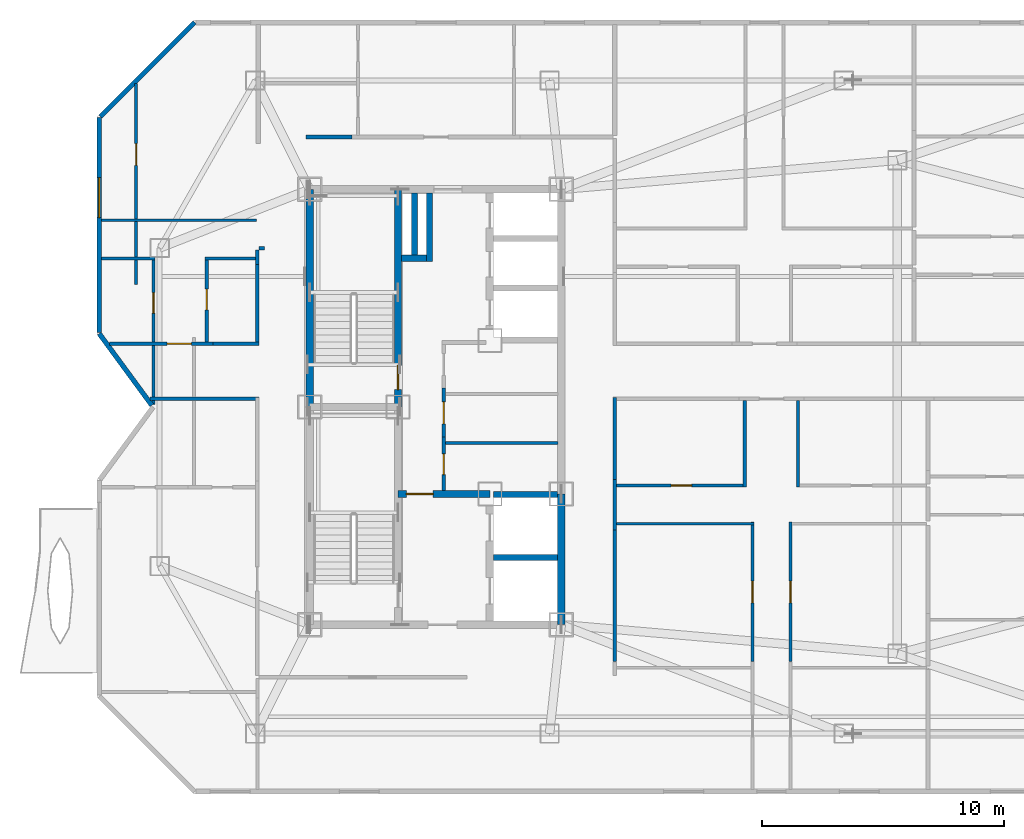
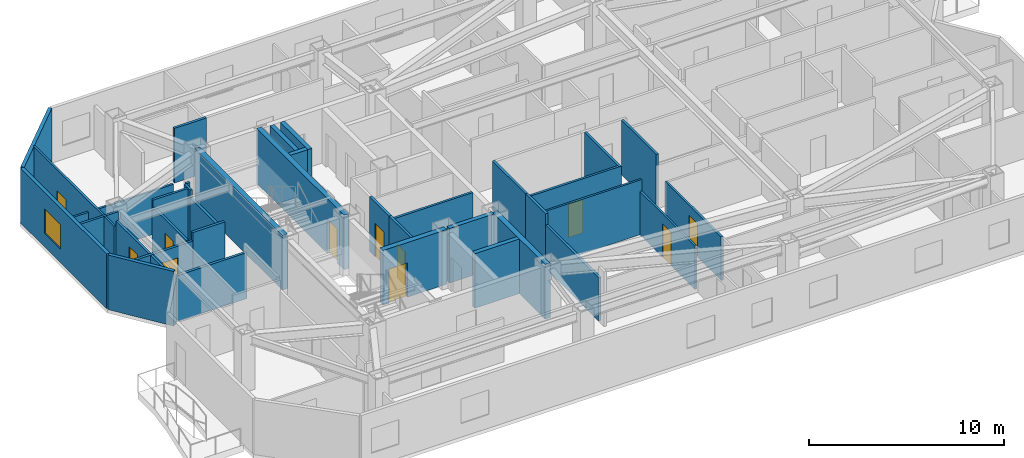
# One storey, part 5 of 10: 37 walls, 11 doors, 1 window, 12 openings.
"""IFC4 building model written with IfcOpenShell, lengths in metres."""

from ifc_helpers import new_model, si_unit, direction, frame, frame_2d, origin, place, context, subcontext, project, spatial, rectangle, extrude, material, layer, layer_set, type_object, element, fill, save


model = new_model("IFC4")

# Units and contexts
model_context = context("Model", 3, precision=1e-05, world=origin(), true_north=direction((0.0, 1.0)))
body_context = subcontext(model_context, "Body", "Model", "MODEL_VIEW")
ifc_project = project(units=[si_unit("LENGTHUNIT", "METRE"), si_unit("AREAUNIT", "SQUARE_METRE"), si_unit("VOLUMEUNIT", "CUBIC_METRE"), si_unit("PLANEANGLEUNIT", "RADIAN"), si_unit("MASSUNIT", "GRAM", prefix="KILO")], contexts=[model_context])

# Site, building, storey
site_placement = place(None, origin())
site = spatial("IfcSite", under=ifc_project, at=site_placement, CompositionType="ELEMENT")
building_placement = place(site_placement, origin())
building = spatial("IfcBuilding", under=site, at=building_placement, Name="Khamvora Tower", CompositionType="ELEMENT")
storey_placement = place(building_placement, frame((0.0, 0.0, 250.050048828125)))
storey = spatial("IfcBuildingStorey", under=building, at=storey_placement, Name="L64", CompositionType="ELEMENT", Elevation=250.050048828125)

# Walls
ifc_material_1 = material(Name="Concrete C50/60", Category="concrete")
ifc_layer_1 = layer(ifc_material_1, 0.300048828125)
ifc_layer_set_1 = layer_set([ifc_layer_1], Name="Concrete C50/60")
wall_type_1 = type_object("IfcWallType", Name="WAL-CORE-300", PredefinedType="SHEAR", material=ifc_layer_set_1)
wall_1_placement = place(storey_placement, frame((29.0, 28.0, 0.0), z_axis=(0.0, 0.0, 1.0), x_axis=(0.0, 1.0, 0.0)))
element("IfcWall", 1, at=wall_1_placement, inside=storey, type_object=wall_type_1, Name="L64 central core west north wall", PredefinedType="SHEAR", context=body_context, shape_type="SweptSolid", body=[
    extrude(rectangle(XDim=9.0, YDim=0.300048828125, at=frame_2d((4.5, 0.0))), origin(), (0.0, 0.0, 1.0), 3.429931640625),
])
wall_2_placement = place(storey_placement, frame((39.39990234375, 19.0, 0.0), z_axis=(0.0, 0.0, 1.0), x_axis=(0.0, 1.0, 0.0)))
element("IfcWall", 2, at=wall_2_placement, inside=storey, type_object=wall_type_1, Name="L64 central core east south wall", PredefinedType="SHEAR", context=body_context, shape_type="SweptSolid", body=[
    extrude(rectangle(XDim=5.39990234375, YDim=0.300048828125, at=frame_2d((2.699951171875, 0.0))), origin(), (0.0, 0.0, 1.0), 3.429931640625),
])

# Wall, opening, door
wall_3_placement = place(storey_placement, frame((32.64990234375, 28.0, 0.0), z_axis=(0.0, 0.0, 1.0), x_axis=(0.0, 1.0, 0.0)))
wall_3 = element("IfcWall", 3, at=wall_3_placement, inside=storey, type_object=wall_type_1, Name="L64 central core stair north spine wall", PredefinedType="SHEAR", context=body_context, shape_type="SweptSolid", body=[
    extrude(rectangle(XDim=9.0, YDim=0.300048828125, at=frame_2d((4.5, 0.0))), origin(), (0.0, 0.0, 1.0), 3.429931640625),
])
opening_1_placement = place(wall_3_placement, frame((0.719970703125, 0.0, 0.0)))
opening_1 = element("IfcOpeningElement", 4, at=opening_1_placement, cuts=wall_3, Name="Opening D-ST1", PredefinedType="OPENING", context=body_context, shape_type="SweptSolid", body=[
    extrude(rectangle(XDim=1.0, YDim=2.14990234375, at=frame_2d((0.5, 1.074951171875))), frame((0.0, 0.159912109375, 0.0), z_axis=(0.0, -1.0, 0.0), x_axis=(1.0, 0.0, 0.0)), (0.0, 0.0, 1.0), 0.320068359375),
])
ifc_material_2 = material(Name="Powder-Coated Steel and Hardwood Leaf", Category="steel")
door_type_1 = type_object("IfcDoorType", Name="DOR-STAIR-1000", OperationType="NOTDEFINED", PredefinedType="DOOR", material=ifc_material_2)
door_1_placement = place(opening_1_placement, origin())
door_1 = element("IfcDoor", 5, at=door_1_placement, inside=storey, type_object=door_type_1, Name="L64 exit stair ST-02 fire door", OperationType="SINGLE_SWING_RIGHT", OverallHeight=2.14990234375, OverallWidth=1.0, PredefinedType="DOOR", context=body_context, shape_type="SweptSolid", body=[
    extrude(rectangle(XDim=1.0, YDim=2.14990234375, at=frame_2d((0.5, 1.074951171875))), frame((0.0, 0.02490234375, 0.0), z_axis=(0.0, -1.0, 0.0), x_axis=(1.0, 0.0, 0.0)), (0.0, 0.0, 1.0), 0.050048828125),
])
fill(opening_1, door_1)

wall_4_placement = place(storey_placement, frame((32.64990234375, 24.39990234375, 0.0), z_axis=(0.0, 0.0, 1.0), x_axis=(1.0, 0.0, 0.0)))
wall_4 = element("IfcWall", 6, at=wall_4_placement, inside=storey, type_object=wall_type_1, Name="L64 central core firefighting lobby north wall", PredefinedType="SHEAR", context=body_context, shape_type="SweptSolid", body=[
    extrude(rectangle(XDim=3.800048828125, YDim=0.300048828125, at=frame_2d((1.89990234375, 0.0))), origin(), (0.0, 0.0, 1.0), 3.429931640625),
])
opening_2_placement = place(wall_4_placement, frame((0.35009765625, 0.0, 0.0)))
opening_2 = element("IfcOpeningElement", 7, at=opening_2_placement, cuts=wall_4, Name="Opening D-FF1", PredefinedType="OPENING", context=body_context, shape_type="SweptSolid", body=[
    extrude(rectangle(XDim=1.10009765625, YDim=2.14990234375, at=frame_2d((0.550048828125, 1.074951171875))), frame((0.0, 0.159912109375, 0.0), z_axis=(0.0, -1.0, 0.0), x_axis=(1.0, 0.0, 0.0)), (0.0, 0.0, 1.0), 0.320068359375),
])
door_type_2 = type_object("IfcDoorType", Name="DOR-FFLOB-1100", OperationType="NOTDEFINED", PredefinedType="DOOR", material=ifc_material_2)
door_2_placement = place(opening_2_placement, origin())
door_2 = element("IfcDoor", 8, at=door_2_placement, inside=storey, type_object=door_type_2, Name="L64 firefighting lobby smoke-seal fire door", OperationType="SINGLE_SWING_LEFT", OverallHeight=2.14990234375, OverallWidth=1.10009765625, PredefinedType="DOOR", context=body_context, shape_type="SweptSolid", body=[
    extrude(rectangle(XDim=1.10009765625, YDim=2.14990234375, at=frame_2d((0.550048828125, 1.074951171875))), frame((0.0, 0.02490234375, 0.0), z_axis=(0.0, -1.0, 0.0), x_axis=(1.0, 0.0, 0.0)), (0.0, 0.0, 1.0), 0.050048828125),
])
fill(opening_2, door_2)

ifc_material_3 = material(Name="Fire-Rated Drywall and Steel Stud", Category="steel")
ifc_layer_2 = layer(ifc_material_3, 0.14990234375)
ifc_layer_set_2 = layer_set([ifc_layer_2], Name="Fire-Rated Drywall and Steel Stud")
wall_type_2 = type_object("IfcWallType", Name="WAL-CORR-150", PredefinedType="STANDARD", material=ifc_layer_set_2)
wall_5_placement = place(storey_placement, frame((34.544921875, 26.763916015625, 0.0), z_axis=(0.0, 0.0, 1.0), x_axis=(0.0, -1.0, 0.0)))
wall_5 = element("IfcWall", 9, at=wall_5_placement, inside=storey, type_object=wall_type_2, Name="L64 interior partition wall 001", PredefinedType="STANDARD", context=body_context, shape_type="SweptSolid", body=[
    extrude(rectangle(XDim=2.219970703125, YDim=0.14990234375, at=frame_2d((1.10986328125, 0.0))), origin(), (0.0, 0.0, 1.0), 3.429931640625),
])
opening_3_placement = place(wall_5_placement, frame((0.7060546875, 0.0, 0.0)))
opening_3 = element("IfcOpeningElement", 10, at=opening_3_placement, cuts=wall_5, Name="Opening D-WC1", PredefinedType="OPENING", context=body_context, shape_type="SweptSolid", body=[
    extrude(rectangle(XDim=0.85009765625, YDim=2.10009765625, at=frame_2d((0.425048828125, 1.050048828125))), frame((0.0, 0.0849609375, 0.0), z_axis=(0.0, -1.0, 0.0), x_axis=(1.0, 0.0, 0.0)), (0.0, 0.0, 1.0), 0.169921875),
])
door_type_3 = type_object("IfcDoorType", Name="DOR-WET-850", OperationType="NOTDEFINED", PredefinedType="DOOR", material=ifc_material_2)
door_3_placement = place(opening_3_placement, origin())
door_3 = element("IfcDoor", 11, at=door_3_placement, inside=storey, type_object=door_type_3, Name="L64 interior door PHL-CS1", OperationType="SINGLE_SWING_RIGHT", OverallHeight=2.10009765625, OverallWidth=0.85009765625, PredefinedType="DOOR", context=body_context, shape_type="SweptSolid", body=[
    extrude(rectangle(XDim=0.85009765625, YDim=2.10009765625, at=frame_2d((0.425048828125, 1.050048828125))), frame((0.0, 0.02490234375, 0.0), z_axis=(0.0, -1.0, 0.0), x_axis=(1.0, 0.0, 0.0)), (0.0, 0.0, 1.0), 0.050048828125),
])
fill(opening_3, door_3)

wall_6_placement = place(storey_placement, frame((34.544921875, 28.7939453125, 0.0), z_axis=(0.0, 0.0, 1.0), x_axis=(0.0, -1.0, 0.0)))
wall_6 = element("IfcWall", 12, at=wall_6_placement, inside=storey, type_object=wall_type_2, Name="L64 interior partition wall 002", PredefinedType="STANDARD", context=body_context, shape_type="SweptSolid", body=[
    extrude(rectangle(XDim=2.030029296875, YDim=0.14990234375, at=frame_2d((1.01513671875, 0.0))), origin(), (0.0, 0.0, 1.0), 3.429931640625),
])
opening_4_placement = place(wall_6_placement, frame((0.5859375, 0.0, 0.0)))
opening_4 = element("IfcOpeningElement", 13, at=opening_4_placement, cuts=wall_6, Name="Opening D-RM1", PredefinedType="OPENING", context=body_context, shape_type="SweptSolid", body=[
    extrude(rectangle(XDim=0.89990234375, YDim=2.10009765625, at=frame_2d((0.449951171875, 1.050048828125))), frame((0.0, 0.0849609375, 0.0), z_axis=(0.0, -1.0, 0.0), x_axis=(1.0, 0.0, 0.0)), (0.0, 0.0, 1.0), 0.169921875),
])
door_type_4 = type_object("IfcDoorType", Name="DOR-ROOM-900", OperationType="NOTDEFINED", PredefinedType="DOOR", material=ifc_material_2)
door_4_placement = place(opening_4_placement, origin())
door_4 = element("IfcDoor", 14, at=door_4_placement, inside=storey, type_object=door_type_4, Name="L64 interior door PHL-CS2", OperationType="SINGLE_SWING_LEFT", OverallHeight=2.10009765625, OverallWidth=0.89990234375, PredefinedType="DOOR", context=body_context, shape_type="SweptSolid", body=[
    extrude(rectangle(XDim=0.89990234375, YDim=2.10009765625, at=frame_2d((0.449951171875, 1.050048828125))), frame((0.0, 0.02490234375, 0.0), z_axis=(0.0, -1.0, 0.0), x_axis=(1.0, 0.0, 0.0)), (0.0, 0.0, 1.0), 0.050048828125),
])
fill(opening_4, door_4)

# Wall
wall_7_placement = place(storey_placement, frame((26.89794921875, 28.3349609375, 0.0), z_axis=(0.0, 0.0, 1.0), x_axis=(-1.0, 0.0, 0.0)))
element("IfcWall", 15, at=wall_7_placement, inside=storey, type_object=wall_type_2, Name="L64 interior partition wall 010", PredefinedType="STANDARD", context=body_context, shape_type="SweptSolid", body=[
    extrude(rectangle(XDim=4.505859375, YDim=0.14990234375, at=frame_2d((2.2529296875, 0.0))), origin(), (0.0, 0.0, 1.0), 2.886962890625),
])

# Wall, opening, door
wall_8_placement = place(storey_placement, frame((20.720947265625, 30.614990234375, 0.0), z_axis=(0.0, 0.0, 1.0), x_axis=(1.0, 0.0, 0.0)))
wall_8 = element("IfcWall", 16, at=wall_8_placement, inside=storey, type_object=wall_type_2, Name="L64 interior partition wall 011", PredefinedType="STANDARD", context=body_context, shape_type="SweptSolid", body=[
    extrude(rectangle(XDim=4.275146484375, YDim=0.14990234375, at=frame_2d((2.1376953125, 0.0))), origin(), (0.0, 0.0, 1.0), 2.886962890625),
])
opening_5_placement = place(wall_8_placement, frame((2.385986328125, 0.0, 0.0)))
opening_5 = element("IfcOpeningElement", 17, at=opening_5_placement, cuts=wall_8, Name="Opening D-U1", PredefinedType="OPENING", context=body_context, shape_type="SweptSolid", body=[
    extrude(rectangle(XDim=1.0, YDim=2.14990234375, at=frame_2d((0.5, 1.074951171875))), frame((0.0, 0.0849609375, 0.0), z_axis=(0.0, -1.0, 0.0), x_axis=(1.0, 0.0, 0.0)), (0.0, 0.0, 1.0), 0.169921875),
])
door_type_5 = type_object("IfcDoorType", Name="DOR-UNIT-1000", OperationType="NOTDEFINED", PredefinedType="DOOR", material=ifc_material_2)
door_5_placement = place(opening_5_placement, origin())
door_5 = element("IfcDoor", 18, at=door_5_placement, inside=storey, type_object=door_type_5, Name="L64 interior door COR-64WBH", OperationType="SINGLE_SWING_LEFT", OverallHeight=2.14990234375, OverallWidth=1.0, PredefinedType="DOOR", context=body_context, shape_type="SweptSolid", body=[
    extrude(rectangle(XDim=1.0, YDim=2.14990234375, at=frame_2d((0.5, 1.074951171875))), frame((0.0, 0.02490234375, 0.0), z_axis=(0.0, -1.0, 0.0), x_axis=(1.0, 0.0, 0.0)), (0.0, 0.0, 1.0), 0.050048828125),
])
fill(opening_5, door_5)

# Walls
wall_9_placement = place(storey_placement, frame((26.8349609375, 33.89404296875, 0.0), z_axis=(0.0, 0.0, 1.0), x_axis=(0.0, 1.0, 0.0)))
element("IfcWall", 19, at=wall_9_placement, inside=storey, type_object=wall_type_2, Name="L64 interior partition wall 012", PredefinedType="STANDARD", context=body_context, shape_type="SweptSolid", body=[
    extrude(rectangle(XDim=0.60595703125, YDim=0.14990234375, at=frame_2d((0.302978515625, 0.0))), origin(), (0.0, 0.0, 1.0), 3.429931640625),
])
wall_10_placement = place(storey_placement, frame((26.89990234375, 34.56494140625, 0.0), z_axis=(0.0, 0.0, 1.0), x_axis=(1.0, 0.0, 0.0)))
element("IfcWall", 20, at=wall_10_placement, inside=storey, type_object=wall_type_2, Name="L64 interior partition wall 013", PredefinedType="STANDARD", context=body_context, shape_type="SweptSolid", body=[
    extrude(rectangle(XDim=0.22412109375, YDim=0.14990234375, at=frame_2d((0.112060546875, 0.0))), origin(), (0.0, 0.0, 1.0), 3.429931640625),
])
wall_11_placement = place(storey_placement, frame((24.99609375, 30.614990234375, 0.0), z_axis=(0.0, 0.0, 1.0), x_axis=(1.0, 0.0, 0.0)))
element("IfcWall", 21, at=wall_11_placement, inside=storey, type_object=wall_type_2, Name="L64 interior partition wall 014", PredefinedType="STANDARD", context=body_context, shape_type="SweptSolid", body=[
    extrude(rectangle(XDim=1.90380859375, YDim=0.14990234375, at=frame_2d((0.951904296875, 0.0))), origin(), (0.0, 0.0, 1.0), 3.429931640625),
])
wall_12_placement = place(storey_placement, frame((26.8349609375, 30.552001953125, 0.0), z_axis=(0.0, 0.0, 1.0), x_axis=(0.0, 1.0, 0.0)))
element("IfcWall", 22, at=wall_12_placement, inside=storey, type_object=wall_type_2, Name="L64 interior partition wall 015", PredefinedType="STANDARD", context=body_context, shape_type="SweptSolid", body=[
    extrude(rectangle(XDim=3.342041015625, YDim=0.14990234375, at=frame_2d((1.6708984375, 0.0))), origin(), (0.0, 0.0, 1.0), 2.9609375),
])
wall_13_placement = place(storey_placement, frame((28.85009765625, 39.1650390625, 0.0), z_axis=(0.0, 0.0, 1.0), x_axis=(1.0, 0.0, 0.0)))
element("IfcWall", 23, at=wall_13_placement, inside=storey, type_object=wall_type_2, Name="L64 interior partition wall 017", PredefinedType="STANDARD", context=body_context, shape_type="SweptSolid", body=[
    extrude(rectangle(XDim=1.90087890625, YDim=0.14990234375, at=frame_2d((0.950439453125, 0.0))), origin(), (0.0, 0.0, 1.0), 3.429931640625),
])
wall_14_placement = place(storey_placement, frame((41.614990234375, 25.00390625, 0.0), z_axis=(0.0, 0.0, 1.0), x_axis=(0.0, -1.0, 0.0)))
element("IfcWall", 24, at=wall_14_placement, inside=storey, type_object=wall_type_2, Name="L64 interior partition wall 020", PredefinedType="STANDARD", context=body_context, shape_type="SweptSolid", body=[
    extrude(rectangle(XDim=2.077880859375, YDim=0.14990234375, at=frame_2d((1.0390625, 0.0))), origin(), (0.0, 0.0, 1.0), 3.429931640625),
])
wall_15_placement = place(storey_placement, frame((41.614990234375, 28.39794921875, 0.0), z_axis=(0.0, 0.0, 1.0), x_axis=(0.0, -1.0, 0.0)))
element("IfcWall", 25, at=wall_15_placement, inside=storey, type_object=wall_type_2, Name="L64 interior partition wall 022", PredefinedType="STANDARD", context=body_context, shape_type="SweptSolid", body=[
    extrude(rectangle(XDim=3.39404296875, YDim=0.14990234375, at=frame_2d((1.697021484375, 0.0))), origin(), (0.0, 0.0, 1.0), 3.429931640625),
])
wall_16_placement = place(storey_placement, frame((41.614990234375, 22.926025390625, 0.0), z_axis=(0.0, 0.0, 1.0), x_axis=(0.0, -1.0, 0.0)))
element("IfcWall", 26, at=wall_16_placement, inside=storey, type_object=wall_type_2, Name="L64 interior partition wall 025", PredefinedType="STANDARD", context=body_context, shape_type="SweptSolid", body=[
    extrude(rectangle(XDim=5.45703125, YDim=0.14990234375, at=frame_2d((2.728515625, 0.0))), origin(), (0.0, 0.0, 1.0), 2.724853515625),
])
ifc_material_4 = material(Name="Precast concrete C40/50", Category="concrete")
ifc_layer_3 = layer(ifc_material_4, 0.199951171875)
ifc_layer_set_3 = layer_set([ifc_layer_3], Name="Precast concrete C40/50")
wall_type_3 = type_object("IfcWallType", Name="WAL-EXT-200", PredefinedType="STANDARD", material=ifc_layer_set_3)
wall_17_placement = place(storey_placement, frame((22.472900390625, 28.069091796875, 0.0), z_axis=(0.0, 0.0, 1.0), x_axis=(-0.591248456881, 0.80648946815, 0.0)))
element("IfcWall", 27, at=wall_17_placement, inside=storey, type_object=wall_type_3, Name="L64 exterior facade wall 04.1", PredefinedType="STANDARD", context=body_context, shape_type="SweptSolid", body=[
    extrude(rectangle(XDim=3.675048828125, YDim=0.199951171875, at=frame_2d((1.83740234375, 0.0))), origin(), (0.0, 0.0, 1.0), 3.429931640625),
])

# Wall, opening, window
wall_18_placement = place(storey_placement, frame((20.300048828125, 31.083984375, 0.0), z_axis=(0.0, 0.0, 1.0), x_axis=(0.0, 1.0, 0.0)))
wall_18 = element("IfcWall", 28, at=wall_18_placement, inside=storey, type_object=wall_type_3, Name="L64 exterior facade wall 05.1", PredefinedType="STANDARD", context=body_context, shape_type="SweptSolid", body=[
    extrude(rectangle(XDim=8.875, YDim=0.199951171875, at=frame_2d((4.4375, 0.0))), origin(), (0.0, 0.0, 1.0), 3.429931640625),
])
opening_6_placement = place(wall_18_placement, frame((4.75, 0.0, 0.85009765625)))
opening_6 = element("IfcOpeningElement", 29, at=opening_6_placement, cuts=wall_18, Name="Opening WN-06", PredefinedType="OPENING", context=body_context, shape_type="SweptSolid", body=[
    extrude(rectangle(XDim=1.64990234375, YDim=1.550048828125, at=frame_2d((0.824951171875, 0.77490234375))), frame((0.0, 0.10986328125, 0.0), z_axis=(0.0, -1.0, 0.0), x_axis=(1.0, 0.0, 0.0)), (0.0, 0.0, 1.0), 0.219970703125),
])
ifc_material_5 = material(Name="Low-E Laminated Double Glazing", Category="glass")
window_type = type_object("IfcWindowType", Name="WIN-VIS-1650x1550", PartitioningType="SINGLE_PANEL", PredefinedType="WINDOW", material=ifc_material_5)
window_placement = place(opening_6_placement, origin())
window = element("IfcWindow", 30, at=window_placement, inside=storey, type_object=window_type, Name="L64 vision window 05.1.01", OverallHeight=1.550048828125, OverallWidth=1.64990234375, PartitioningType="SINGLE_PANEL", PredefinedType="WINDOW", context=body_context, shape_type="SweptSolid", body=[
    extrude(rectangle(XDim=1.64990234375, YDim=1.550048828125, at=frame_2d((0.824951171875, 0.77490234375))), frame((0.0, 0.030029296875, 0.0), z_axis=(0.0, -1.0, 0.0), x_axis=(1.0, 0.0, 0.0)), (0.0, 0.0, 1.0), 0.06005859375),
])
fill(opening_6, window)

# Wall
wall_19_placement = place(storey_placement, frame((20.343994140625, 40.0029296875, 0.0), z_axis=(0.0, 0.0, 1.0), x_axis=(0.707106781187, 0.707106781187, 0.0)))
element("IfcWall", 31, at=wall_19_placement, inside=storey, type_object=wall_type_3, Name="L64 exterior facade wall 06.1", PredefinedType="STANDARD", context=body_context, shape_type="SweptSolid", body=[
    extrude(rectangle(XDim=5.51123046875, YDim=0.199951171875, at=frame_2d((2.755615234375, 0.0))), origin(), (0.0, 0.0, 1.0), 3.429931640625),
])

# Wall, opening, door
ifc_material_6 = material(Name="Gypsum Plasterboard Partition", Category="gypsum")
ifc_layer_4 = layer(ifc_material_6, 0.1201171875)
ifc_layer_set_4 = layer_set([ifc_layer_4], Name="Gypsum Plasterboard Partition")
wall_type_4 = type_object("IfcWallType", Name="WAL-PART-120", PredefinedType="PARTITIONING", material=ifc_layer_set_4)
wall_20_placement = place(storey_placement, frame((21.824951171875, 41.368896484375, 0.0), z_axis=(0.0, 0.0, 1.0), x_axis=(0.0, -1.0, 0.0)))
wall_20 = element("IfcWall", 32, at=wall_20_placement, inside=storey, type_object=wall_type_4, Name="L64 interior partition wall 049", PredefinedType="PARTITIONING", context=body_context, shape_type="SweptSolid", body=[
    extrude(rectangle(XDim=8.310791015625, YDim=0.1201171875, at=frame_2d((4.1552734375, 0.0))), origin(), (0.0, 0.0, 1.0), 3.429931640625),
])
opening_7_placement = place(wall_20_placement, frame((2.47607421875, 0.0, 0.0)))
opening_7 = element("IfcOpeningElement", 33, at=opening_7_placement, cuts=wall_20, Name="Opening D-RM1", PredefinedType="OPENING", context=body_context, shape_type="SweptSolid", body=[
    extrude(rectangle(XDim=0.89990234375, YDim=2.10009765625, at=frame_2d((0.449951171875, 1.050048828125))), frame((0.0, 0.070068359375, 0.0), z_axis=(0.0, -1.0, 0.0), x_axis=(1.0, 0.0, 0.0)), (0.0, 0.0, 1.0), 0.14013671875),
])
door_6_placement = place(opening_7_placement, origin())
door_6 = element("IfcDoor", 34, at=door_6_placement, inside=storey, type_object=door_type_4, Name="L64 interior door 64WBH-64WBR1", OperationType="SINGLE_SWING_RIGHT", OverallHeight=2.10009765625, OverallWidth=0.89990234375, PredefinedType="DOOR", context=body_context, shape_type="SweptSolid", body=[
    extrude(rectangle(XDim=0.89990234375, YDim=2.10009765625, at=frame_2d((0.449951171875, 1.050048828125))), frame((0.0, 0.02490234375, 0.0), z_axis=(0.0, -1.0, 0.0), x_axis=(1.0, 0.0, 0.0)), (0.0, 0.0, 1.0), 0.050048828125),
])
fill(opening_7, door_6)

# Wall
wall_21_placement = place(storey_placement, frame((20.39208984375, 35.722900390625, 0.0), z_axis=(0.0, 0.0, 1.0), x_axis=(1.0, 0.0, 0.0)))
element("IfcWall", 35, at=wall_21_placement, inside=storey, type_object=wall_type_4, Name="L64 interior partition wall 050", PredefinedType="PARTITIONING", context=body_context, shape_type="SweptSolid", body=[
    extrude(rectangle(XDim=6.41796875, YDim=0.1201171875, at=frame_2d((3.208984375, 0.0))), origin(), (0.0, 0.0, 1.0), 2.724853515625),
])

# Wall, opening, door
wall_22_placement = place(storey_placement, frame((47.304931640625, 17.468994140625, 0.0), z_axis=(0.0, 0.0, 1.0), x_axis=(0.0, 1.0, 0.0)))
wall_22 = element("IfcWall", 36, at=wall_22_placement, inside=storey, type_object=wall_type_4, Name="L64 interior partition wall 063", PredefinedType="PARTITIONING", context=body_context, shape_type="SweptSolid", body=[
    extrude(rectangle(XDim=5.77099609375, YDim=0.1201171875, at=frame_2d((2.885498046875, 0.0))), origin(), (0.0, 0.0, 1.0), 2.724853515625),
])
opening_8_placement = place(wall_22_placement, frame((2.43505859375, 0.0, 0.0)))
opening_8 = element("IfcOpeningElement", 37, at=opening_8_placement, cuts=wall_22, Name="Opening D-RM1", PredefinedType="OPENING", context=body_context, shape_type="SweptSolid", body=[
    extrude(rectangle(XDim=0.89990234375, YDim=2.10009765625, at=frame_2d((0.449951171875, 1.050048828125))), frame((0.0, 0.070068359375, 0.0), z_axis=(0.0, -1.0, 0.0), x_axis=(1.0, 0.0, 0.0)), (0.0, 0.0, 1.0), 0.14013671875),
])
door_7_placement = place(opening_8_placement, origin())
door_7 = element("IfcDoor", 38, at=door_7_placement, inside=storey, type_object=door_type_4, Name="L64 interior door 64EA1H-64EA1R2", OperationType="SINGLE_SWING_RIGHT", OverallHeight=2.10009765625, OverallWidth=0.89990234375, PredefinedType="DOOR", context=body_context, shape_type="SweptSolid", body=[
    extrude(rectangle(XDim=0.89990234375, YDim=2.10009765625, at=frame_2d((0.449951171875, 1.050048828125))), frame((0.0, 0.02490234375, 0.0), z_axis=(0.0, -1.0, 0.0), x_axis=(1.0, 0.0, 0.0)), (0.0, 0.0, 1.0), 0.050048828125),
])
fill(opening_8, door_7)

# Wall
wall_23_placement = place(storey_placement, frame((47.3701171875, 23.175048828125, 0.0), z_axis=(0.0, 0.0, 1.0), x_axis=(-1.0, 0.0, 0.0)))
element("IfcWall", 39, at=wall_23_placement, inside=storey, type_object=wall_type_4, Name="L64 interior partition wall 064", PredefinedType="PARTITIONING", context=body_context, shape_type="SweptSolid", body=[
    extrude(rectangle(XDim=5.688232421875, YDim=0.1201171875, at=frame_2d((2.84423828125, 0.0))), origin(), (0.0, 0.0, 1.0), 3.429931640625),
])

# Wall, opening, door
wall_24_placement = place(storey_placement, frame((48.875, 23.239990234375, 0.0), z_axis=(0.0, 0.0, 1.0), x_axis=(0.0, -1.0, 0.0)))
wall_24 = element("IfcWall", 40, at=wall_24_placement, inside=storey, type_object=wall_type_4, Name="L64 interior partition wall 066", PredefinedType="PARTITIONING", context=body_context, shape_type="SweptSolid", body=[
    extrude(rectangle(XDim=5.77099609375, YDim=0.1201171875, at=frame_2d((2.885498046875, 0.0))), origin(), (0.0, 0.0, 1.0), 2.724853515625),
])
opening_9_placement = place(wall_24_placement, frame((2.43505859375, 0.0, 0.0)))
opening_9 = element("IfcOpeningElement", 41, at=opening_9_placement, cuts=wall_24, Name="Opening D-RM1", PredefinedType="OPENING", context=body_context, shape_type="SweptSolid", body=[
    extrude(rectangle(XDim=0.89990234375, YDim=2.10009765625, at=frame_2d((0.449951171875, 1.050048828125))), frame((0.0, 0.070068359375, 0.0), z_axis=(0.0, -1.0, 0.0), x_axis=(1.0, 0.0, 0.0)), (0.0, 0.0, 1.0), 0.14013671875),
])
door_8_placement = place(opening_9_placement, origin())
door_8 = element("IfcDoor", 42, at=door_8_placement, inside=storey, type_object=door_type_4, Name="L64 interior door 64EA1H-64EA1R4", OperationType="SINGLE_SWING_RIGHT", OverallHeight=2.10009765625, OverallWidth=0.89990234375, PredefinedType="DOOR", context=body_context, shape_type="SweptSolid", body=[
    extrude(rectangle(XDim=0.89990234375, YDim=2.10009765625, at=frame_2d((0.449951171875, 1.050048828125))), frame((0.0, 0.02490234375, 0.0), z_axis=(0.0, -1.0, 0.0), x_axis=(1.0, 0.0, 0.0)), (0.0, 0.0, 1.0), 0.050048828125),
])
fill(opening_9, door_8)

# Walls
ifc_material_7 = material(Name="Concrete C40/50", Category="concrete")
ifc_layer_5 = layer(ifc_material_7, 0.25)
ifc_layer_set_5 = layer_set([ifc_layer_5], Name="Concrete C40/50")
wall_type_5 = type_object("IfcWallType", Name="WAL-PODS-250", PredefinedType="SHEAR", material=ifc_layer_set_5)
for number, where, z_axis, x_axis, name in (
    (43, (36.60400390625, 21.77490234375, 0.0), (0.0, 0.0, 1.0), (1.0, 0.0, 0.0), "L64 lift shaft divider wall FFL-01"),
    (44, (36.60400390625, 24.375, 0.0), (0.0, 0.0, 1.0), (1.0, 0.0, 0.0), "L64 lift shaft divider wall FFL-02"),
):
    element("IfcWall", number, at=place(storey_placement, frame(where, z_axis=z_axis, x_axis=x_axis)), inside=storey, type_object=wall_type_5, Name=name, PredefinedType="SHEAR", context=body_context, shape_type="SweptSolid", body=[
        extrude(rectangle(XDim=2.64208984375, YDim=0.25, at=frame_2d((1.321044921875, 0.0))), origin(), (0.0, 0.0, 1.0), 3.429931640625),
    ])
wall_25_placement = place(storey_placement, frame((33.955078125, 34.02490234375, 0.0), z_axis=(0.0, 0.0, 1.0), x_axis=(0.0, 1.0, 0.0)))
element("IfcWall", 45, at=wall_25_placement, inside=storey, type_object=wall_type_5, Name="L64 vertical MEP riser shaft east enclosure wall", PredefinedType="SHEAR", context=body_context, shape_type="SweptSolid", body=[
    extrude(rectangle(XDim=2.821044921875, YDim=0.25, at=frame_2d((1.41064453125, 0.0))), origin(), (0.0, 0.0, 1.0), 3.429931640625),
])
wall_26_placement = place(storey_placement, frame((32.803955078125, 34.14990234375, 0.0), z_axis=(0.0, 0.0, 1.0), x_axis=(1.0, 0.0, 0.0)))
element("IfcWall", 46, at=wall_26_placement, inside=storey, type_object=wall_type_5, Name="L64 vertical MEP riser shaft south enclosure wall", PredefinedType="SHEAR", context=body_context, shape_type="SweptSolid", body=[
    extrude(rectangle(XDim=1.02197265625, YDim=0.25, at=frame_2d((0.510986328125, 0.0))), origin(), (0.0, 0.0, 1.0), 3.429931640625),
])
wall_27_placement = place(storey_placement, frame((33.340087890625, 34.279052734375, 0.0), z_axis=(0.0, 0.0, 1.0), x_axis=(0.0, 1.0, 0.0)))
element("IfcWall", 47, at=wall_27_placement, inside=storey, type_object=wall_type_5, Name="L64 vertical MEP riser shaft divider enclosure wall", PredefinedType="SHEAR", context=body_context, shape_type="SweptSolid", body=[
    extrude(rectangle(XDim=2.56689453125, YDim=0.25, at=frame_2d((1.283447265625, 0.0))), origin(), (0.0, 0.0, 1.0), 3.429931640625),
])
ifc_material_8 = material(Name="Moisture-Resistant Plasterboard Partition", Category="gypsum")
ifc_layer_6 = layer(ifc_material_8, 0.135009765625)
ifc_layer_set_6 = layer_set([ifc_layer_6], Name="Moisture-Resistant Plasterboard Partition")
wall_type_6 = type_object("IfcWallType", Name="WAL-WET-135", PredefinedType="PARTITIONING", material=ifc_layer_set_6)
wall_28_placement = place(storey_placement, frame((34.612060546875, 26.514892578125, 0.0), z_axis=(0.0, 0.0, 1.0), x_axis=(1.0, 0.0, 0.0)))
element("IfcWall", 48, at=wall_28_placement, inside=storey, type_object=wall_type_6, Name="L64 interior partition wall 005", PredefinedType="PARTITIONING", context=body_context, shape_type="SweptSolid", body=[
    extrude(rectangle(XDim=4.64404296875, YDim=0.135009765625, at=frame_2d((2.322021484375, 0.0))), origin(), (0.0, 0.0, 1.0), 3.429931640625),
])
wall_29_placement = place(storey_placement, frame((26.77001953125, 34.14306640625, 0.0), z_axis=(0.0, 0.0, 1.0), x_axis=(-1.0, 0.0, 0.0)))
element("IfcWall", 49, at=wall_29_placement, inside=storey, type_object=wall_type_6, Name="L64 interior partition wall 045", PredefinedType="PARTITIONING", context=body_context, shape_type="SweptSolid", body=[
    extrude(rectangle(XDim=2.088134765625, YDim=0.135009765625, at=frame_2d((1.0439453125, 0.0))), origin(), (0.0, 0.0, 1.0), 3.429931640625),
])

# Wall, opening, door
wall_30_placement = place(storey_placement, frame((24.7470703125, 34.2080078125, 0.0), z_axis=(0.0, 0.0, 1.0), x_axis=(0.0, -1.0, 0.0)))
wall_30 = element("IfcWall", 50, at=wall_30_placement, inside=storey, type_object=wall_type_6, Name="L64 interior partition wall 046", PredefinedType="PARTITIONING", context=body_context, shape_type="SweptSolid", body=[
    extrude(rectangle(XDim=3.528076171875, YDim=0.135009765625, at=frame_2d((1.76416015625, 0.0))), origin(), (0.0, 0.0, 1.0), 2.9609375),
])
opening_10_placement = place(wall_30_placement, frame((1.339111328125, 0.0, 0.0)))
opening_10 = element("IfcOpeningElement", 51, at=opening_10_placement, cuts=wall_30, Name="Opening D-WC1", PredefinedType="OPENING", context=body_context, shape_type="SweptSolid", body=[
    extrude(rectangle(XDim=0.85009765625, YDim=2.10009765625, at=frame_2d((0.425048828125, 1.050048828125))), frame((0.0, 0.077392578125, 0.0), z_axis=(0.0, -1.0, 0.0), x_axis=(1.0, 0.0, 0.0)), (0.0, 0.0, 1.0), 0.155029296875),
])
door_9_placement = place(opening_10_placement, origin())
door_9 = element("IfcDoor", 52, at=door_9_placement, inside=storey, type_object=door_type_3, Name="L64 interior door 64WBH-64WBB", OperationType="SINGLE_SWING_RIGHT", OverallHeight=2.10009765625, OverallWidth=0.85009765625, PredefinedType="DOOR", context=body_context, shape_type="SweptSolid", body=[
    extrude(rectangle(XDim=0.85009765625, YDim=2.10009765625, at=frame_2d((0.425048828125, 1.050048828125))), frame((0.0, 0.02490234375, 0.0), z_axis=(0.0, -1.0, 0.0), x_axis=(1.0, 0.0, 0.0)), (0.0, 0.0, 1.0), 0.050048828125),
])
fill(opening_10, door_9)

wall_31_placement = place(storey_placement, frame((22.547119140625, 28.10400390625, 0.0), z_axis=(0.0, 0.0, 1.0), x_axis=(0.0, 1.0, 0.0)))
wall_31 = element("IfcWall", 53, at=wall_31_placement, inside=storey, type_object=wall_type_6, Name="L64 interior partition wall 047", PredefinedType="PARTITIONING", context=body_context, shape_type="SweptSolid", body=[
    extrude(rectangle(XDim=6.10400390625, YDim=0.135009765625, at=frame_2d((3.052001953125, 0.0))), origin(), (0.0, 0.0, 1.0), 2.886962890625),
])
opening_11_placement = place(wall_31_placement, frame((3.779052734375, 0.0, 0.0)))
opening_11 = element("IfcOpeningElement", 54, at=opening_11_placement, cuts=wall_31, Name="Opening D-RM2", PredefinedType="OPENING", context=body_context, shape_type="SweptSolid", body=[
    extrude(rectangle(XDim=0.85009765625, YDim=2.10009765625, at=frame_2d((0.425048828125, 1.050048828125))), frame((0.0, 0.077392578125, 0.0), z_axis=(0.0, -1.0, 0.0), x_axis=(1.0, 0.0, 0.0)), (0.0, 0.0, 1.0), 0.155029296875),
])
door_type_6 = type_object("IfcDoorType", Name="DOR-ROOM-850", OperationType="NOTDEFINED", PredefinedType="DOOR", material=ifc_material_2)
door_10_placement = place(opening_11_placement, origin())
door_10 = element("IfcDoor", 55, at=door_10_placement, inside=storey, type_object=door_type_6, Name="L64 interior door 64WBH-64WBK", OperationType="SINGLE_SWING_LEFT", OverallHeight=2.10009765625, OverallWidth=0.85009765625, PredefinedType="DOOR", context=body_context, shape_type="SweptSolid", body=[
    extrude(rectangle(XDim=0.85009765625, YDim=2.10009765625, at=frame_2d((0.425048828125, 1.050048828125))), frame((0.0, 0.02490234375, 0.0), z_axis=(0.0, -1.0, 0.0), x_axis=(1.0, 0.0, 0.0)), (0.0, 0.0, 1.0), 0.050048828125),
])
fill(opening_11, door_10)

# Wall
wall_32_placement = place(storey_placement, frame((22.612060546875, 34.14306640625, 0.0), z_axis=(0.0, 0.0, 1.0), x_axis=(-1.0, 0.0, 0.0)))
element("IfcWall", 56, at=wall_32_placement, inside=storey, type_object=wall_type_6, Name="L64 interior partition wall 048", PredefinedType="PARTITIONING", context=body_context, shape_type="SweptSolid", body=[
    extrude(rectangle(XDim=2.219970703125, YDim=0.135009765625, at=frame_2d((1.10986328125, 0.0))), origin(), (0.0, 0.0, 1.0), 3.429931640625),
])

# Wall, opening, door
wall_33_placement = place(storey_placement, frame((41.681884765625, 24.7548828125, 0.0), z_axis=(0.0, 0.0, 1.0), x_axis=(1.0, 0.0, 0.0)))
wall_33 = element("IfcWall", 57, at=wall_33_placement, inside=storey, type_object=wall_type_6, Name="L64 interior partition wall 058", PredefinedType="PARTITIONING", context=body_context, shape_type="SweptSolid", body=[
    extrude(rectangle(XDim=5.373046875, YDim=0.135009765625, at=frame_2d((2.6865234375, 0.0))), origin(), (0.0, 0.0, 1.0), 3.429931640625),
])
opening_12_placement = place(wall_33_placement, frame((2.261962890625, 0.0, 0.0)))
opening_12 = element("IfcOpeningElement", 58, at=opening_12_placement, cuts=wall_33, Name="Opening D-WC1", PredefinedType="OPENING", context=body_context, shape_type="SweptSolid", body=[
    extrude(rectangle(XDim=0.85009765625, YDim=2.10009765625, at=frame_2d((0.425048828125, 1.050048828125))), frame((0.0, 0.077392578125, 0.0), z_axis=(0.0, -1.0, 0.0), x_axis=(1.0, 0.0, 0.0)), (0.0, 0.0, 1.0), 0.155029296875),
])
door_11_placement = place(opening_12_placement, origin())
door_11 = element("IfcDoor", 59, at=door_11_placement, inside=storey, type_object=door_type_3, Name="L64 interior door 64EA1H-64EA1B", OperationType="SINGLE_SWING_LEFT", OverallHeight=2.10009765625, OverallWidth=0.85009765625, PredefinedType="DOOR", context=body_context, shape_type="SweptSolid", body=[
    extrude(rectangle(XDim=0.85009765625, YDim=2.10009765625, at=frame_2d((0.425048828125, 1.050048828125))), frame((0.0, 0.02490234375, 0.0), z_axis=(0.0, -1.0, 0.0), x_axis=(1.0, 0.0, 0.0)), (0.0, 0.0, 1.0), 0.050048828125),
])
fill(opening_12, door_11)

# Walls
for number, where, z_axis, x_axis, name in (
    (60, (46.989990234375, 24.68994140625, 0.0), (0.0, 0.0, 1.0), (0.0, 1.0, 0.0), "L64 interior partition wall 059"),
    (61, (49.18994140625, 28.27001953125, 0.0), (0.0, 0.0, 1.0), (0.0, -1.0, 0.0), "L64 interior partition wall 060"),
):
    element("IfcWall", number, at=place(storey_placement, frame(where, z_axis=z_axis, x_axis=x_axis)), inside=storey, type_object=wall_type_6, Name=name, PredefinedType="PARTITIONING", context=body_context, shape_type="SweptSolid", body=[
        extrude(rectangle(XDim=3.580078125, YDim=0.135009765625, at=frame_2d((1.7900390625, 0.0))), origin(), (0.0, 0.0, 1.0), 3.429931640625),
    ])

save(model, "model.ifc")
